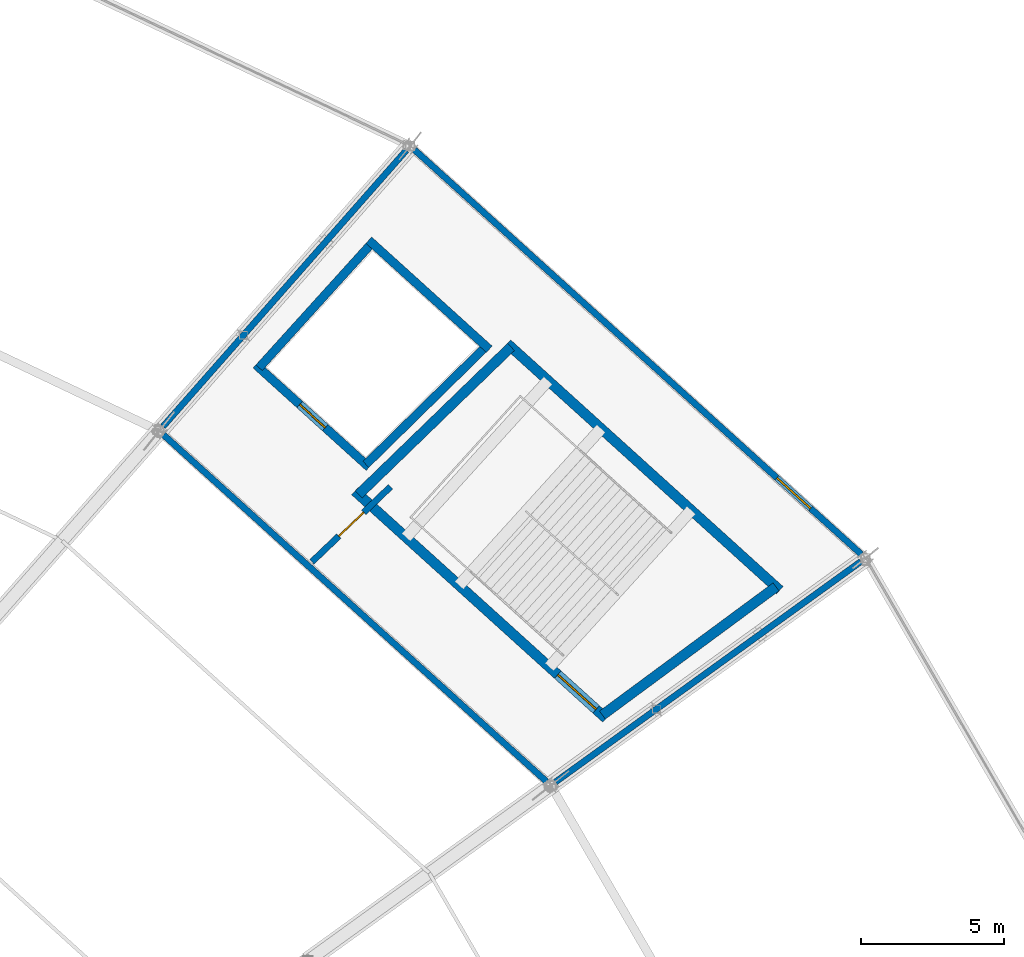
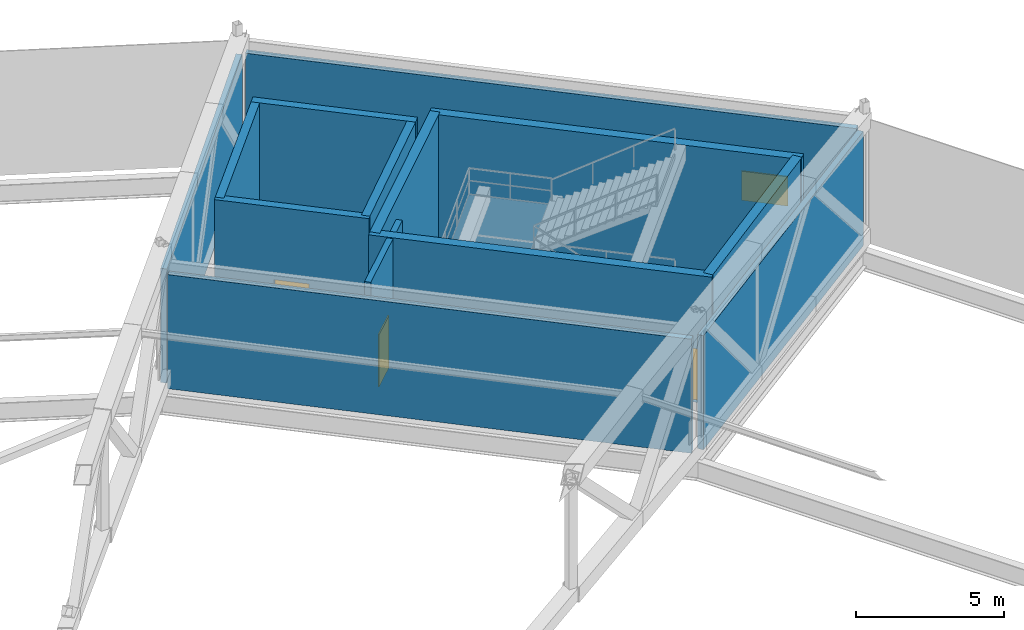
# One storey, part 151 of 162: 13 walls, 3 doors, 1 window, 4 openings.
"""IFC4 building model written with IfcOpenShell, lengths in metres."""

import ifcopenshell
import ifcopenshell.guid

model = None  # the IFC model being written
_history = None  # IfcOwnerHistory: only IFC2X3 demands one
_inside = {}  # id of a spatial element -> (the spatial element, [elements in it])
_under = {}  # id of a project, library or spatial element -> (it, [spatial elements below it])
_declared = {}  # id of a project -> (the project, [libraries it declares])
_typed = {}  # id of a type object -> (the type object, [elements of that type])
_made_of = {}  # id of a material, layer set ... -> (it, [elements and type objects made of it])


def new_model(schema):
    """Start an empty IFC model of exactly this schema.

    Asked for "IFC4X3", IfcOpenShell would pick the latest addendum, in which some entities
    have other attributes; the version numbers below select the first issue.
    IFC2X3 requires an IfcOwnerHistory on every rooted entity: one is made here for all.
    """
    global model, _history
    if schema == "IFC4X3":
        model = ifcopenshell.file(schema_version=(4, 3, 0, 0))
    else:
        model = ifcopenshell.file(schema=schema)
    _inside.clear()
    _under.clear()
    _declared.clear()
    _typed.clear()
    _made_of.clear()
    _history = None
    if model.schema == "IFC2X3":
        org = make("IfcOrganization", Name="unknown")
        user = make(
            "IfcPersonAndOrganization",
            ThePerson=make("IfcPerson", FamilyName="unknown"),
            TheOrganization=org,
        )
        app = make(
            "IfcApplication",
            ApplicationDeveloper=org,
            Version="unknown",
            ApplicationFullName="unknown",
            ApplicationIdentifier="unknown",
        )
        _history = make(
            "IfcOwnerHistory",
            OwningUser=user,
            OwningApplication=app,
            ChangeAction="ADDED",
            CreationDate=0,
        )
    return model


def make(cls, **values):
    """One entity of the class cls with the attributes given. An attribute that is None is left unset."""
    return model.create_entity(
        cls, **{name: value for name, value in values.items() if value is not None}
    )


def rooted(cls, **values):
    """An entity with a GlobalId (a new one), such as an element, a storey or a relation."""
    return make(cls, GlobalId=ifcopenshell.guid.new(), OwnerHistory=_history, **values)


def si_unit(unit_type, name, prefix=None):
    """IfcSIUnit, for example si_unit("LENGTHUNIT", "METRE", prefix="MILLI")."""
    return make("IfcSIUnit", UnitType=unit_type, Prefix=prefix, Name=name)


def assignment(units):
    """IfcUnitAssignment: the units of a project."""
    return None if units is None else make("IfcUnitAssignment", Units=units)


def point(xyz):
    """IfcCartesianPoint."""
    return None if xyz is None else make("IfcCartesianPoint", Coordinates=xyz)


def direction(xyz):
    """IfcDirection."""
    return None if xyz is None else make("IfcDirection", DirectionRatios=xyz)


def frame(location, z_axis=None, x_axis=None):
    """IfcAxis2Placement3D, a coordinate frame: its origin and axes. An axis left out is left unset."""
    return make(
        "IfcAxis2Placement3D",
        Location=point(location),
        Axis=direction(z_axis),
        RefDirection=direction(x_axis),
    )


def frame_2d(location, x_axis=None):
    """IfcAxis2Placement2D, a coordinate frame in the plane: its origin and x axis."""
    return make(
        "IfcAxis2Placement2D", Location=point(location), RefDirection=direction(x_axis)
    )


def origin():
    """The frame at (0, 0, 0) with its axes left unset."""
    return frame((0.0, 0.0, 0.0))


def place(relative_to, where):
    """IfcLocalPlacement: puts the frame where relative to a parent placement (None: the world)."""
    return make(
        "IfcLocalPlacement", PlacementRelTo=relative_to, RelativePlacement=where
    )


def context(
    kind, dimensions, precision=None, world=None, true_north=None, identifier=None
):
    """IfcGeometricRepresentationContext, for example the 3D "Model" context."""
    return make(
        "IfcGeometricRepresentationContext",
        ContextIdentifier=identifier,
        ContextType=kind,
        CoordinateSpaceDimension=dimensions,
        Precision=precision,
        WorldCoordinateSystem=world,
        TrueNorth=true_north,
    )


def subcontext(parent, identifier, kind, view, scale=None):
    """IfcGeometricRepresentationSubContext, for example "Body" below "Model"."""
    return make(
        "IfcGeometricRepresentationSubContext",
        ContextIdentifier=identifier,
        ContextType=kind,
        ParentContext=parent,
        TargetScale=scale,
        TargetView=view,
    )


def project(units=None, contexts=None):
    """IfcProject with its units and contexts."""
    return rooted(
        "IfcProject",
        Name="project",
        RepresentationContexts=contexts,
        UnitsInContext=assignment(units),
    )


def spatial(cls, under=None, at=None, **own):
    """A site, building, storey or space (cls), placed at a placement, below another one or the project."""
    s = rooted(cls, ObjectPlacement=at, **own)
    if under is not None:
        _under.setdefault(under.id(), (under, []))[1].append(s)
    return s


def profile(cls, at=None, kind="AREA", **sizes):
    """A parametric profile (cls). Its sizes go by their IFC names, for example OverallWidth=200.0."""
    return make(cls, ProfileType=kind, Position=at, **sizes)


def rectangle(**sizes):
    """IfcRectangleProfileDef."""
    return profile("IfcRectangleProfileDef", **sizes)


def extrude(swept, where, along, depth):
    """IfcExtrudedAreaSolid: the profile swept, set in the frame where, extruded along a direction by depth."""
    return make(
        "IfcExtrudedAreaSolid",
        SweptArea=swept,
        Position=where,
        ExtrudedDirection=direction(along),
        Depth=depth,
    )


def shape(context_of_items, identifier, shape_type, items):
    """IfcShapeRepresentation: the items that make up one representation, for example the "Body"."""
    return make(
        "IfcShapeRepresentation",
        ContextOfItems=context_of_items,
        RepresentationIdentifier=identifier,
        RepresentationType=shape_type,
        Items=items,
    )


def material(Name=None, Category=None):
    """IfcMaterial."""
    return make("IfcMaterial", Name=Name, Category=Category)


def layer(
    of_material, thickness, ventilated=None, Name=None, Category=None, Priority=None
):
    """IfcMaterialLayer: one layer of a wall or slab, of a material (None: an air gap)."""
    return make(
        "IfcMaterialLayer",
        Material=of_material,
        LayerThickness=thickness,
        IsVentilated=ventilated,
        Name=Name,
        Category=Category,
        Priority=Priority,
    )


def layer_set(layers, Name=None):
    """IfcMaterialLayerSet."""
    return make("IfcMaterialLayerSet", MaterialLayers=layers, LayerSetName=Name)


def made_of(thing, what):
    """Note that an element or type object is made of a material, layer set ...; save() writes the relation."""
    if what is not None:
        _made_of.setdefault(what.id(), (what, []))[1].append(thing)
    return thing


def type_object(cls, material=None, **own):
    """A type object (cls), such as IfcWallType, which elements share."""
    return made_of(rooted(cls, **own), material)


def element(
    cls,
    number,
    at=None,
    inside=None,
    cuts=None,
    type_object=None,
    material=None,
    context=None,
    identifier="Body",
    shape_type=None,
    held_by="IfcProductDefinitionShape",
    body=None,
    shapes=None,
    **own,
):
    """One element of the class cls, such as IfcWall. Its Tag is "e" and its number.

    at: its placement. inside: the storey or other place that contains it. cuts: it is an
    opening in that element (IfcRelVoidsElement). A single representation is given by context,
    identifier, shape_type and body (its items); several are given by shapes. held_by: the class
    of the entity that holds the representations. save() writes the other relations.
    """
    e = rooted(cls, Tag="e%d" % number, ObjectPlacement=at, **own)
    if body is not None:
        shapes = [shape(context, identifier, shape_type, body)]
    if shapes is not None:
        e.Representation = make(held_by, Representations=shapes)
    if inside is not None:
        _inside.setdefault(inside.id(), (inside, []))[1].append(e)
    if cuts is not None:
        rooted(
            "IfcRelVoidsElement", RelatingBuildingElement=cuts, RelatedOpeningElement=e
        )
    if type_object is not None:
        _typed.setdefault(type_object.id(), (type_object, []))[1].append(e)
    return made_of(e, material)


def fill(opening, filler):
    """IfcRelFillsElement: the door or window that sits in an opening."""
    return rooted(
        "IfcRelFillsElement",
        RelatingOpeningElement=opening,
        RelatedBuildingElement=filler,
    )


def aggregate(whole, parts):
    """IfcRelAggregates: a whole, such as a stair, and the parts it consists of."""
    return rooted("IfcRelAggregates", RelatingObject=whole, RelatedObjects=parts)


def save(model, path):
    """Write the relations noted so far, then the file.

    IfcRelAggregates (storeys below a building ...), IfcRelContainedInSpatialStructure (elements
    in a storey), IfcRelDefinesByType, IfcRelAssociatesMaterial and IfcRelDeclares: one each for
    every whole, place, type object, material and project.
    """
    for whole, parts in _under.values():
        aggregate(whole, parts)
    for where, things in _inside.values():
        rooted(
            "IfcRelContainedInSpatialStructure",
            RelatedElements=things,
            RelatingStructure=where,
        )
    for kind, things in _typed.values():
        rooted("IfcRelDefinesByType", RelatedObjects=things, RelatingType=kind)
    for what, things in _made_of.values():
        rooted("IfcRelAssociatesMaterial", RelatedObjects=things, RelatingMaterial=what)
    for by, libraries in _declared.values():
        rooted("IfcRelDeclares", RelatingContext=by, RelatedDefinitions=libraries)
    model.write(path)


model = new_model("IFC4")

# Units and contexts
model_context = context("Model", 3, precision=1e-05, world=origin(), true_north=direction((0.0, 1.0)))
body_context = subcontext(model_context, "Body", "Model", "MODEL_VIEW")
ifc_project = project(units=[si_unit("LENGTHUNIT", "METRE"), si_unit("AREAUNIT", "SQUARE_METRE"), si_unit("VOLUMEUNIT", "CUBIC_METRE"), si_unit("PLANEANGLEUNIT", "RADIAN"), si_unit("MASSUNIT", "GRAM", prefix="KILO")], contexts=[model_context])

# Site, building, storey
site_placement = place(None, origin())
site = spatial("IfcSite", under=ifc_project, at=site_placement, CompositionType="ELEMENT")
building_placement = place(site_placement, origin())
building = spatial("IfcBuilding", under=site, at=building_placement, Name="Kazemori Nagisa Stadium", CompositionType="ELEMENT")
storey_placement = place(building_placement, frame((0.0, 0.0, 36.719970703125)))
storey = spatial("IfcBuildingStorey", under=building, at=storey_placement, Name="RF", CompositionType="ELEMENT", Elevation=36.719970703125)

# Wall, opening, door
ifc_material_1 = material(Name="Concrete C40/50 (Fc42)", Category="concrete")
ifc_layer_1 = layer(ifc_material_1, 0.35009765625, Name="Concrete C40/50 (Fc42)", Category="concrete")
ifc_layer_set_1 = layer_set([ifc_layer_1], Name="Concrete C40/50 (Fc42)")
wall_type_1 = type_object("IfcWallType", Name="Wall_W-CORE-350", PredefinedType="SHEAR", material=ifc_layer_set_1)
wall_1_placement = place(storey_placement, frame((192.438720703125, 153.072021484375, 0.0), z_axis=(0.0, 0.0, 1.0), x_axis=(-0.741358227035, 0.671109513572, 0.0)))
wall_1 = element("IfcWall", 1, at=wall_1_placement, inside=storey, type_object=wall_type_1, Name="Core stair front shear wall ST01 RF", PredefinedType="SHEAR", context=body_context, shape_type="SweptSolid", body=[
    extrude(rectangle(XDim=11.82666015625, YDim=0.35009765625, at=frame_2d((5.913330078125, 0.0))), origin(), (0.0, 0.0, 1.0), 5.219970703125),
])
opening_1_placement = place(wall_1_placement, frame((0.47509765625, 0.0, 0.0)))
opening_1 = element("IfcOpeningElement", 2, at=opening_1_placement, cuts=wall_1, Name="Opening D-ST-1800", PredefinedType="OPENING", context=body_context, shape_type="SweptSolid", body=[
    extrude(rectangle(XDim=1.800048828125, YDim=2.199951171875, at=frame_2d((0.89990234375, 1.10009765625))), frame((0.0, 0.18505859375, 0.0), z_axis=(0.0, -1.0, 0.0), x_axis=(1.0, 0.0, 0.0)), (0.0, 0.0, 1.0), 0.3701171875),
])
ifc_material_2 = material(Name="Galvanised steel sheet", Category="steel")
door_type_1 = type_object("IfcDoorType", Name="Door_D-ST-1800", OperationType="NOTDEFINED", PredefinedType="DOOR", material=ifc_material_2)
door_1_placement = place(opening_1_placement, frame((1.800048828125, 0.0, 0.0), z_axis=(0.0, 0.0, 1.0), x_axis=(-1.0, 0.0, 0.0)))
door_1 = element("IfcDoor", 3, at=door_1_placement, inside=storey, type_object=door_type_1, Name="Exit stair fire door ST01-RF", OperationType="SINGLE_SWING_LEFT", OverallHeight=2.199951171875, OverallWidth=1.800048828125, PredefinedType="DOOR", context=body_context, shape_type="SweptSolid", body=[
    extrude(rectangle(XDim=1.800048828125, YDim=2.199951171875, at=frame_2d((0.89990234375, 1.10009765625))), frame((0.0, 0.02490234375, 0.0), z_axis=(0.0, -1.0, 0.0), x_axis=(1.0, 0.0, 0.0)), (0.0, 0.0, 1.0), 0.050048828125),
])
fill(opening_1, door_1)

# Walls
wall_2_placement = place(storey_placement, frame((198.499267578125, 157.548095703125, 0.0), z_axis=(0.0, 0.0, 1.0), x_axis=(-0.741351373721, 0.671117084183, 0.0)))
element("IfcWall", 4, at=wall_2_placement, inside=storey, type_object=wall_type_1, Name="Core stair rear shear wall ST01 RF", PredefinedType="SHEAR", context=body_context, shape_type="SweptSolid", body=[
    extrude(rectangle(XDim=12.830322265625, YDim=0.35009765625, at=frame_2d((6.4150390625, 0.0))), origin(), (0.0, 0.0, 1.0), 5.219970703125),
])
wall_3_placement = place(storey_placement, frame((192.308837890625, 153.189453125, 0.0), z_axis=(0.0, 0.0, 1.0), x_axis=(0.804395625347, 0.594093997548, 0.0)))
element("IfcWall", 5, at=wall_3_placement, inside=storey, type_object=wall_type_1, Name="Core stair left shear wall ST01 RF", PredefinedType="SHEAR", context=body_context, shape_type="SweptSolid", body=[
    extrude(rectangle(XDim=7.5341796875, YDim=0.35009765625, at=frame_2d((3.76708984375, 0.0))), origin(), (0.0, 0.0, 1.0), 5.219970703125),
])
wall_4_placement = place(storey_placement, frame((183.800537109375, 160.8916015625, 0.0), z_axis=(0.0, 0.0, 1.0), x_axis=(0.718297398554, 0.69573619083, 0.0)))
element("IfcWall", 6, at=wall_4_placement, inside=storey, type_object=wall_type_1, Name="Core stair right shear wall ST01 RF", PredefinedType="SHEAR", context=body_context, shape_type="SweptSolid", body=[
    extrude(rectangle(XDim=7.40185546875, YDim=0.35009765625, at=frame_2d((3.700927734375, 0.0))), origin(), (0.0, 0.0, 1.0), 5.219970703125),
])
ifc_material_3 = material(Name="Steel S355 (SN490B)", Category="steel")
ifc_layer_2 = layer(ifc_material_3, 0.219970703125, Name="Steel S355 (SN490B)", Category="steel")
ifc_layer_set_2 = layer_set([ifc_layer_2], Name="Steel S355 (SN490B)")
wall_type_2 = type_object("IfcWallType", Name="Wall_W-EXT-220", PredefinedType="SOLIDWALL", material=ifc_layer_set_2)
wall_5_placement = place(storey_placement, frame((190.357666015625, 150.868408203125, 0.0), z_axis=(0.0, 0.0, 1.0), x_axis=(-0.741349812395, 0.671118808902, 0.0)))
element("IfcWall", 7, at=wall_5_placement, inside=storey, type_object=wall_type_2, Name="Corner headhouse exterior wall RF-B04-in", PredefinedType="SOLIDWALL", context=body_context, shape_type="SweptSolid", body=[
    extrude(rectangle(XDim=18.041748046875, YDim=0.219970703125, at=frame_2d((9.02099609375, 0.0))), origin(), (0.0, 0.0, 1.0), 4.68994140625),
])

# Wall, opening, window
wall_6_placement = place(storey_placement, frame((201.34716796875, 158.8017578125, 0.0), z_axis=(0.0, 0.0, 1.0), x_axis=(-0.74134637924, 0.671122601309, 0.0)))
wall_6 = element("IfcWall", 8, at=wall_6_placement, inside=storey, type_object=wall_type_2, Name="Corner headhouse exterior wall RF-B04-out", PredefinedType="SOLIDWALL", context=body_context, shape_type="SweptSolid", body=[
    extrude(rectangle(XDim=21.0439453125, YDim=0.219970703125, at=frame_2d((10.52197265625, 0.0))), origin(), (0.0, 0.0, 1.0), 4.68994140625),
])
opening_2_placement = place(wall_6_placement, frame((2.3798828125, 0.0, 1.10009765625)))
opening_2 = element("IfcOpeningElement", 9, at=opening_2_placement, cuts=wall_6, Name="Opening WIN-RF-1600", PredefinedType="OPENING", context=body_context, shape_type="SweptSolid", body=[
    extrude(rectangle(XDim=1.60009765625, YDim=1.199951171875, at=frame_2d((0.800048828125, 0.60009765625))), frame((0.0, 0.119873046875, 0.0), z_axis=(0.0, -1.0, 0.0), x_axis=(1.0, 0.0, 0.0)), (0.0, 0.0, 1.0), 0.239990234375),
])
ifc_material_4 = material(Name="Low-e laminated double glazing", Category="glass")
window_type = type_object("IfcWindowType", Name="Window_WIN-RF-1600", PartitioningType="SINGLE_PANEL", PredefinedType="WINDOW", material=ifc_material_4)
window_placement = place(opening_2_placement, origin())
window = element("IfcWindow", 10, at=window_placement, inside=storey, type_object=window_type, Name="Headhouse plant clerestory window RF-B04", OverallHeight=1.199951171875, OverallWidth=1.60009765625, PartitioningType="SINGLE_PANEL", PredefinedType="WINDOW", context=body_context, shape_type="SweptSolid", body=[
    extrude(rectangle(XDim=1.60009765625, YDim=1.199951171875, at=frame_2d((0.800048828125, 0.60009765625))), frame((0.0, 0.030029296875, 0.0), z_axis=(0.0, -1.0, 0.0), x_axis=(1.0, 0.0, 0.0)), (0.0, 0.0, 1.0), 0.06005859375),
])
fill(opening_2, window)

# Walls
wall_7_placement = place(storey_placement, frame((190.668212890625, 150.851318359375, 0.0), z_axis=(0.0, 0.0, 1.0), x_axis=(0.810798631482, 0.585325190972, 0.0)))
element("IfcWall", 11, at=wall_7_placement, inside=storey, type_object=wall_type_2, Name="Corner headhouse exterior wall RF-B04-L", PredefinedType="SOLIDWALL", context=body_context, shape_type="SweptSolid", body=[
    extrude(rectangle(XDim=13.15380859375, YDim=0.219970703125, at=frame_2d((6.576904296875, 0.0))), origin(), (0.0, 0.0, 1.0), 4.68994140625),
])
wall_8_placement = place(storey_placement, frame((176.966552734375, 163.2607421875, 0.0), z_axis=(0.0, 0.0, 1.0), x_axis=(0.661016034052, 0.750371776339, 0.0)))
element("IfcWall", 12, at=wall_8_placement, inside=storey, type_object=wall_type_2, Name="Corner headhouse exterior wall RF-B04-R", PredefinedType="SOLIDWALL", context=body_context, shape_type="SweptSolid", body=[
    extrude(rectangle(XDim=12.85791015625, YDim=0.219970703125, at=frame_2d((6.428955078125, 0.0))), origin(), (0.0, 0.0, 1.0), 4.68994140625),
])

# Wall, opening, door
ifc_material_5 = material(Name="Concrete C36/45 (Fc36)", Category="concrete")
ifc_layer_3 = layer(ifc_material_5, 0.219970703125, Name="Concrete C36/45 (Fc36)", Category="concrete")
ifc_layer_set_3 = layer_set([ifc_layer_3], Name="Concrete C36/45 (Fc36)")
wall_type_3 = type_object("IfcWallType", Name="Wall_W-LOBBY-220", PredefinedType="SOLIDWALL", material=ifc_layer_set_3)
wall_9_placement = place(storey_placement, frame((182.166748046875, 158.538818359375, 0.0), z_axis=(0.0, 0.0, 1.0), x_axis=(0.722996399824, 0.690851797306, 0.0)))
wall_9 = element("IfcWall", 13, at=wall_9_placement, inside=storey, type_object=wall_type_3, Name="Headhouse plant fire wall RF-B04", PredefinedType="SOLIDWALL", context=body_context, shape_type="SweptSolid", body=[
    extrude(rectangle(XDim=3.797607421875, YDim=0.219970703125, at=frame_2d((1.89892578125, 0.0))), origin(), (0.0, 0.0, 1.0), 5.18994140625),
])
opening_3_placement = place(wall_9_placement, frame((1.299072265625, 0.0, 0.0)))
opening_3 = element("IfcOpeningElement", 14, at=opening_3_placement, cuts=wall_9, Name="Opening D-PL-1200", PredefinedType="OPENING", context=body_context, shape_type="SweptSolid", body=[
    extrude(rectangle(XDim=1.199951171875, YDim=2.14990234375, at=frame_2d((0.60009765625, 1.074951171875))), frame((0.0, 0.119873046875, 0.0), z_axis=(0.0, -1.0, 0.0), x_axis=(1.0, 0.0, 0.0)), (0.0, 0.0, 1.0), 0.239990234375),
])
door_type_2 = type_object("IfcDoorType", Name="Door_D-PL-1200", OperationType="NOTDEFINED", PredefinedType="DOOR", material=ifc_material_2)
door_2_placement = place(opening_3_placement, origin())
door_2 = element("IfcDoor", 15, at=door_2_placement, inside=storey, type_object=door_type_2, Name="Headhouse plant fire door RF-B04", OperationType="SINGLE_SWING_RIGHT", OverallHeight=2.14990234375, OverallWidth=1.199951171875, PredefinedType="DOOR", context=body_context, shape_type="SweptSolid", body=[
    extrude(rectangle(XDim=1.199951171875, YDim=2.14990234375, at=frame_2d((0.60009765625, 1.074951171875))), frame((0.0, 0.02490234375, 0.0), z_axis=(0.0, -1.0, 0.0), x_axis=(1.0, 0.0, 0.0)), (0.0, 0.0, 1.0), 0.050048828125),
])
fill(opening_3, door_2)

ifc_layer_4 = layer(ifc_material_1, 0.300048828125, Name="Concrete C40/50 (Fc42)", Category="concrete")
ifc_layer_set_4 = layer_set([ifc_layer_4], Name="Concrete C40/50 (Fc42)")
wall_type_4 = type_object("IfcWallType", Name="Wall_W-SHAFT-300", PredefinedType="SHEAR", material=ifc_layer_set_4)
wall_10_placement = place(storey_placement, frame((184.1630859375, 161.840576171875, 0.0), z_axis=(0.0, 0.0, 1.0), x_axis=(-0.741350155641, 0.671118429736, 0.0)))
wall_10 = element("IfcWall", 16, at=wall_10_placement, inside=storey, type_object=wall_type_4, Name="Lift shaft front wall FL1 RF", PredefinedType="SHEAR", context=body_context, shape_type="SweptSolid", body=[
    extrude(rectangle(XDim=5.3291015625, YDim=0.300048828125, at=frame_2d((2.66455078125, 0.0))), origin(), (0.0, 0.0, 1.0), 5.18994140625),
])
opening_4_placement = place(wall_10_placement, frame((2.06494140625, 0.0, 0.0)))
opening_4 = element("IfcOpeningElement", 17, at=opening_4_placement, cuts=wall_10, Name="Opening LD-FF", PredefinedType="OPENING", context=body_context, shape_type="SweptSolid", body=[
    extrude(rectangle(XDim=1.199951171875, YDim=2.199951171875, at=frame_2d((0.60009765625, 1.10009765625))), frame((0.0, 0.159912109375, 0.0), z_axis=(0.0, -1.0, 0.0), x_axis=(1.0, 0.0, 0.0)), (0.0, 0.0, 1.0), 0.320068359375),
])
ifc_material_6 = material(Name="Stainless steel SUS304", Category="steel")
door_type_3 = type_object("IfcDoorType", Name="Door_LD-FF", OperationType="SLIDING_TO_LEFT", PredefinedType="DOOR", material=ifc_material_6)
door_3_placement = place(opening_4_placement, origin())
door_3 = element("IfcDoor", 18, at=door_3_placement, inside=storey, type_object=door_type_3, Name="Lift landing door FL1-RF", OperationType="SLIDING_TO_LEFT", OverallHeight=2.199951171875, OverallWidth=1.199951171875, PredefinedType="DOOR", context=body_context, shape_type="SweptSolid", body=[
    extrude(rectangle(XDim=1.199951171875, YDim=2.199951171875, at=frame_2d((0.60009765625, 1.10009765625))), frame((0.0, 0.02490234375, 0.0), z_axis=(0.0, -1.0, 0.0), x_axis=(1.0, 0.0, 0.0)), (0.0, 0.0, 1.0), 0.050048828125),
])
fill(opening_4, door_3)

# Walls
wall_11_placement = place(storey_placement, frame((188.359619140625, 165.960693359375, 0.0), z_axis=(0.0, 0.0, 1.0), x_axis=(-0.74134208775, 0.671127341815, 0.0)))
element("IfcWall", 19, at=wall_11_placement, inside=storey, type_object=wall_type_4, Name="Lift shaft B wall FL1 RF", PredefinedType="SHEAR", context=body_context, shape_type="SweptSolid", body=[
    extrude(rectangle(XDim=5.674560546875, YDim=0.300048828125, at=frame_2d((2.83740234375, 0.0))), origin(), (0.0, 0.0, 1.0), 5.18994140625),
])
wall_12_placement = place(storey_placement, frame((184.052001953125, 161.941162109375, 0.0), z_axis=(0.0, 0.0, 1.0), x_axis=(0.713553028001, 0.700601224828, 0.0)))
element("IfcWall", 20, at=wall_12_placement, inside=storey, type_object=wall_type_4, Name="Lift shaft L wall FL1 RF", PredefinedType="SHEAR", context=body_context, shape_type="SweptSolid", body=[
    extrude(rectangle(XDim=5.881103515625, YDim=0.300048828125, at=frame_2d((2.9404296875, 0.0))), origin(), (0.0, 0.0, 1.0), 5.18994140625),
])
wall_13_placement = place(storey_placement, frame((180.32373046875, 165.31640625, 0.0), z_axis=(0.0, 0.0, 1.0), x_axis=(0.67115829282, 0.741314067031, 0.0)))
element("IfcWall", 21, at=wall_13_placement, inside=storey, type_object=wall_type_4, Name="Lift shaft R wall FL1 RF", PredefinedType="SHEAR", context=body_context, shape_type="SweptSolid", body=[
    extrude(rectangle(XDim=5.87060546875, YDim=0.300048828125, at=frame_2d((2.935302734375, 0.0))), origin(), (0.0, 0.0, 1.0), 5.18994140625),
])

save(model, "model.ifc")
